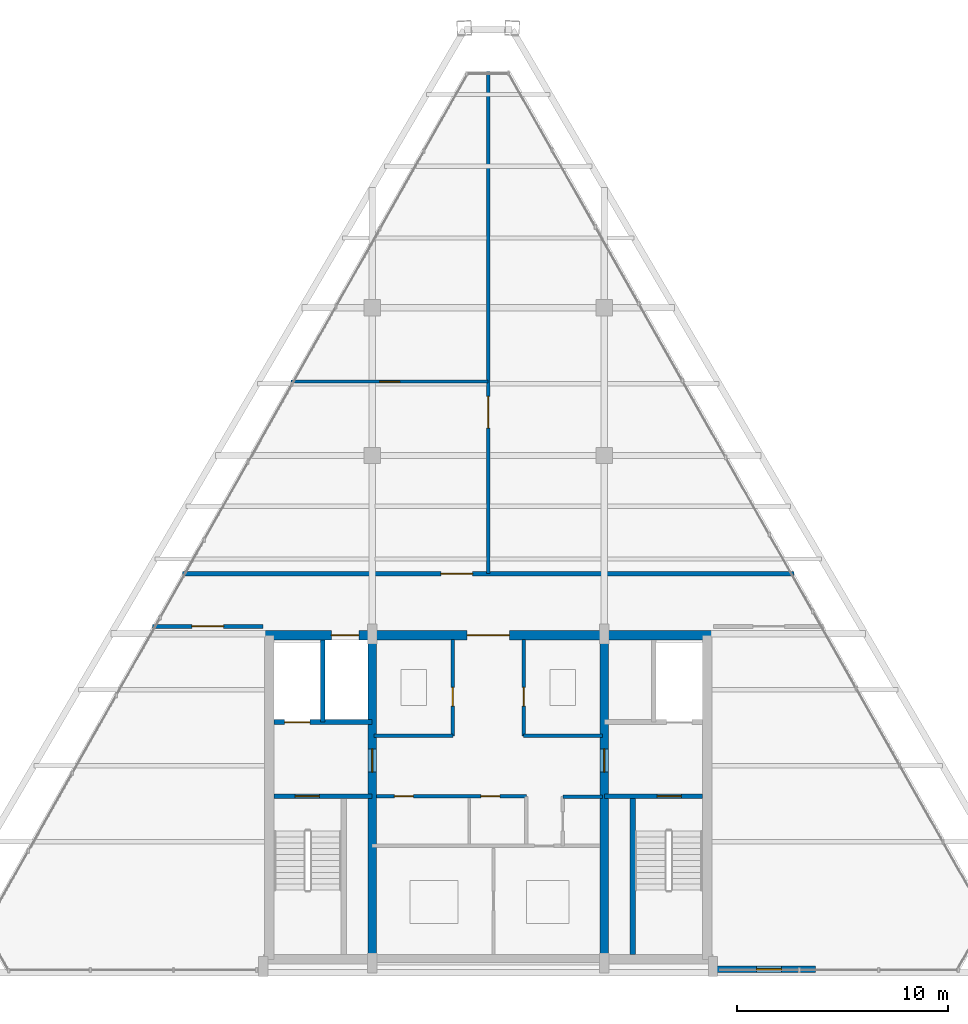
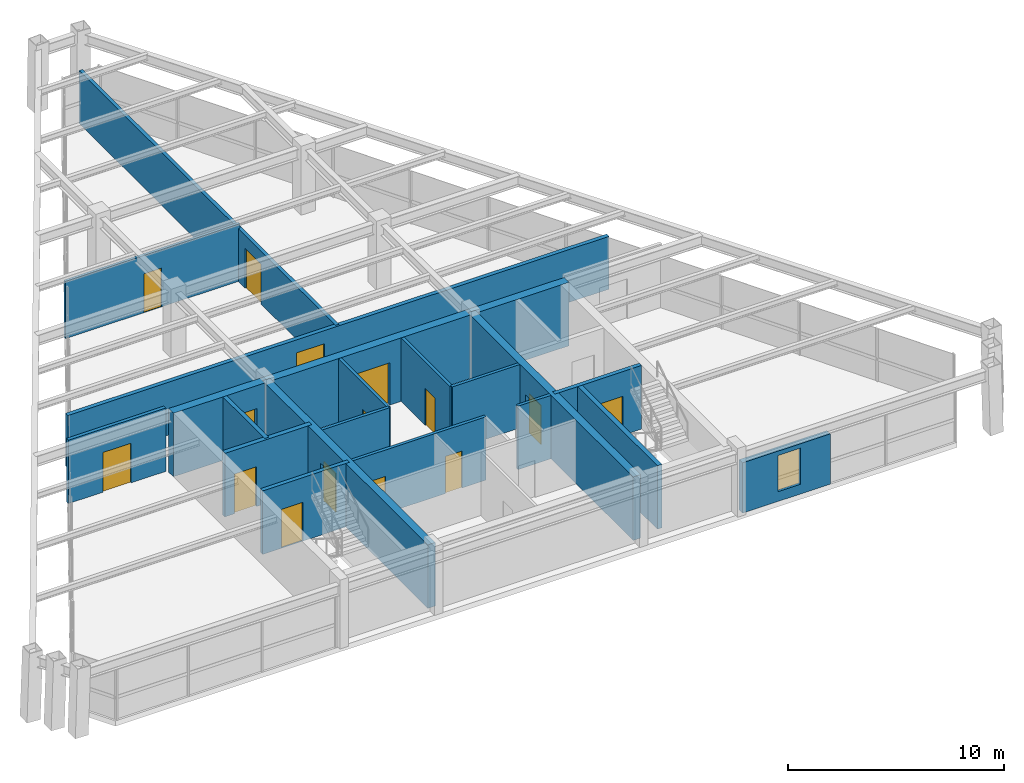
# One storey, part 10 of 12: 19 walls, 15 doors, 1 window, 16 openings.
"""IFC4 building model written with IfcOpenShell, lengths in metres."""

from ifc_helpers import new_model, si_unit, direction, frame, frame_2d, origin, place, context, subcontext, project, spatial, rectangle, extrude, source, transform, mapped, material, layer, layer_set, type_object, type_shapes, element, fill, save


model = new_model("IFC4")

# Units and contexts
model_context = context("Model", 3, precision=1e-05, world=origin(), true_north=direction((0.0, 1.0)))
body_context = subcontext(model_context, "Body", "Model", "MODEL_VIEW")
ifc_project = project(units=[si_unit("LENGTHUNIT", "METRE"), si_unit("AREAUNIT", "SQUARE_METRE"), si_unit("VOLUMEUNIT", "CUBIC_METRE"), si_unit("PLANEANGLEUNIT", "RADIAN"), si_unit("MASSUNIT", "GRAM", prefix="KILO")], contexts=[model_context])

# Site, building, storey
site_placement = place(None, origin())
site = spatial("IfcSite", under=ifc_project, at=site_placement, CompositionType="ELEMENT")
building_placement = place(site_placement, origin())
building = spatial("IfcBuilding", under=site, at=building_placement, Name="Varnakhor Terracotta Tower", CompositionType="ELEMENT")
storey_placement = place(building_placement, frame((0.0, 0.0, 317.5)))
storey = spatial("IfcBuildingStorey", under=building, at=storey_placement, Name="L83 Crown", CompositionType="ELEMENT", Elevation=317.5)

# Wall, openings, doors
ifc_material_1 = material(Name="Concrete C50/60", Category="concrete")
ifc_layer_1 = layer(ifc_material_1, 0.449951171875, Name="Concrete C50/60")
ifc_layer_set_1 = layer_set([ifc_layer_1], Name="Concrete C50/60")
wall_type_1 = type_object("IfcWallType", Name="WAL-CORE-450", PredefinedType="SHEAR", material=ifc_layer_set_1)
wall_1_placement = place(storey_placement, frame((-10.60009765625, 15.97509765625, 0.0), z_axis=(0.0, 0.0, 1.0), x_axis=(1.0, 0.0, 0.0)))
wall_1 = element("IfcWall", 1, at=wall_1_placement, inside=storey, type_object=wall_type_1, Name="L83 Crown North Core Shear Wall", PredefinedType="SHEAR", context=body_context, shape_type="SweptSolid", body=[
    extrude(rectangle(XDim=21.2001953125, YDim=0.449951171875, at=frame_2d((10.60009765625, 0.0))), origin(), (0.0, 0.0, 1.0), 3.60009765625),
])
opening_1_placement = place(wall_1_placement, frame((3.169921875, 0.0, 0.0)))
opening_1 = element("IfcOpeningElement", 2, at=opening_1_placement, cuts=wall_1, Name="Opening LD-03", PredefinedType="OPENING", context=body_context, shape_type="SweptSolid", body=[
    extrude(rectangle(XDim=1.300048828125, YDim=2.300048828125, at=frame_2d((0.64990234375, 1.14990234375))), frame((0.0, 0.23486328125, 0.0), z_axis=(0.0, -1.0, 0.0), x_axis=(1.0, 0.0, 0.0)), (0.0, 0.0, 1.0), 0.469970703125),
])
opening_2_placement = place(wall_1_placement, frame((9.60009765625, 0.0, 0.0)))
opening_2 = element("IfcOpeningElement", 3, at=opening_2_placement, cuts=wall_1, Name="Opening DR-32", PredefinedType="OPENING", context=body_context, shape_type="SweptSolid", body=[
    extrude(rectangle(XDim=2.0, YDim=2.39990234375, at=frame_2d((1.0, 1.199951171875))), frame((0.0, 0.23486328125, 0.0), z_axis=(0.0, -1.0, 0.0), x_axis=(1.0, 0.0, 0.0)), (0.0, 0.0, 1.0), 0.469970703125),
])
ifc_material_2 = material(Name="Heavy-Duty Goods Sliding Lift Landing Door", Category="steel")
door_type_1 = type_object("IfcDoorType", Name="LD-SRV-1300X2300", OperationType="NOTDEFINED", PredefinedType="DOOR", material=ifc_material_2)
shared_shape_1 = source(origin(), body_context, "Body", "SweptSolid", [
    extrude(rectangle(XDim=1.300048828125, YDim=2.300048828125, at=frame_2d((0.64990234375, 1.14990234375))), frame((0.0, 0.02490234375, 0.0), z_axis=(0.0, -1.0, 0.0), x_axis=(1.0, 0.0, 0.0)), (0.0, 0.0, 1.0), 0.050048828125),
])
type_shapes(door_type_1, [shared_shape_1])
door_1_placement = place(opening_1_placement, origin())
door_1 = element("IfcDoor", 4, at=door_1_placement, inside=storey, type_object=door_type_1, Name="L83 Crown Service Lift SVL-1 Landing Door", OperationType="SLIDING_TO_RIGHT", OverallHeight=2.300048828125, OverallWidth=1.300048828125, PredefinedType="DOOR", context=body_context, shape_type="MappedRepresentation", body=[
    mapped(shared_shape_1, transform((0.0, 0.0, 0.0), scale=1.0)),
])
fill(opening_1, door_1)
ifc_material_3 = material(Name="Acoustic Double Assembly Fire Door", Category="wood")
door_type_2 = type_object("IfcDoorType", Name="DR-HALL-2000X2400", OperationType="NOTDEFINED", PredefinedType="DOOR", material=ifc_material_3)
shared_shape_2 = source(origin(), body_context, "Body", "SweptSolid", [
    extrude(rectangle(XDim=2.0, YDim=2.39990234375, at=frame_2d((1.0, 1.199951171875))), frame((0.0, 0.02490234375, 0.0), z_axis=(0.0, -1.0, 0.0), x_axis=(1.0, 0.0, 0.0)), (0.0, 0.0, 1.0), 0.050048828125),
])
type_shapes(door_type_2, [shared_shape_2])
door_2_placement = place(opening_2_placement, origin())
door_2 = element("IfcDoor", 5, at=door_2_placement, inside=storey, type_object=door_type_2, Name="L83 Crown Core Main Lobby Double Door", OperationType="DOUBLE_DOOR_SINGLE_SWING", OverallHeight=2.39990234375, OverallWidth=2.0, PredefinedType="DOOR", context=body_context, shape_type="MappedRepresentation", body=[
    mapped(shared_shape_2, transform((0.0, 0.0, 0.0), scale=1.0)),
])
fill(opening_2, door_2)

# Wall, opening, door
ifc_layer_2 = layer(ifc_material_1, 0.39990234375, Name="Concrete C50/60")
ifc_layer_set_2 = layer_set([ifc_layer_2], Name="Concrete C50/60")
wall_type_2 = type_object("IfcWallType", Name="WAL-CORE-WEB-400", PredefinedType="SHEAR", material=ifc_layer_set_2)
wall_2_placement = place(storey_placement, frame((-5.5, 0.625, 0.0), z_axis=(0.0, 0.0, 1.0), x_axis=(0.0, 1.0, 0.0)))
wall_2 = element("IfcWall", 6, at=wall_2_placement, inside=storey, type_object=wall_type_2, Name="L83 Crown West Core Web Shear Wall", PredefinedType="SHEAR", context=body_context, shape_type="SweptSolid", body=[
    extrude(rectangle(XDim=15.35009765625, YDim=0.39990234375, at=frame_2d((7.675048828125, 0.0))), origin(), (0.0, 0.0, 1.0), 3.60009765625),
])
opening_3_placement = place(wall_2_placement, frame((8.875, 0.0, 0.0)))
opening_3 = element("IfcOpeningElement", 7, at=opening_3_placement, cuts=wall_2, Name="Opening DR-25", PredefinedType="OPENING", context=body_context, shape_type="SweptSolid", body=[
    extrude(rectangle(XDim=1.10009765625, YDim=2.199951171875, at=frame_2d((0.550048828125, 1.10009765625))), frame((0.0, 0.2099609375, 0.0), z_axis=(0.0, -1.0, 0.0), x_axis=(1.0, 0.0, 0.0)), (0.0, 0.0, 1.0), 0.419921875),
])
ifc_material_4 = material(Name="Firefighting Lobby Self-Closing Fire Door", Category="steel")
door_type_3 = type_object("IfcDoorType", Name="DR-FFL-1100X2200", OperationType="NOTDEFINED", PredefinedType="DOOR", material=ifc_material_4)
shared_shape_3 = source(origin(), body_context, "Body", "SweptSolid", [
    extrude(rectangle(XDim=1.10009765625, YDim=2.199951171875, at=frame_2d((0.550048828125, 1.10009765625))), frame((0.0, 0.02490234375, 0.0), z_axis=(0.0, -1.0, 0.0), x_axis=(1.0, 0.0, 0.0)), (0.0, 0.0, 1.0), 0.050048828125),
])
type_shapes(door_type_3, [shared_shape_3])
door_3_placement = place(opening_3_placement, origin())
door_3 = element("IfcDoor", 8, at=door_3_placement, inside=storey, type_object=door_type_3, Name="L83 Crown West Firefighting Lobby Door", OperationType="SINGLE_SWING_LEFT", OverallHeight=2.199951171875, OverallWidth=1.10009765625, PredefinedType="DOOR", context=body_context, shape_type="MappedRepresentation", body=[
    mapped(shared_shape_3, transform((0.0, 0.0, 0.0), scale=1.0)),
])
fill(opening_3, door_3)

wall_3_placement = place(storey_placement, frame((5.5, 0.625, 0.0), z_axis=(0.0, 0.0, 1.0), x_axis=(0.0, 1.0, 0.0)))
wall_3 = element("IfcWall", 9, at=wall_3_placement, inside=storey, type_object=wall_type_2, Name="L83 Crown East Core Web Shear Wall", PredefinedType="SHEAR", context=body_context, shape_type="SweptSolid", body=[
    extrude(rectangle(XDim=15.35009765625, YDim=0.39990234375, at=frame_2d((7.675048828125, 0.0))), origin(), (0.0, 0.0, 1.0), 3.60009765625),
])
opening_4_placement = place(wall_3_placement, frame((8.875, 0.0, 0.0)))
opening_4 = element("IfcOpeningElement", 10, at=opening_4_placement, cuts=wall_3, Name="Opening DR-25", PredefinedType="OPENING", context=body_context, shape_type="SweptSolid", body=[
    extrude(rectangle(XDim=1.10009765625, YDim=2.199951171875, at=frame_2d((0.550048828125, 1.10009765625))), frame((0.0, 0.2099609375, 0.0), z_axis=(0.0, -1.0, 0.0), x_axis=(1.0, 0.0, 0.0)), (0.0, 0.0, 1.0), 0.419921875),
])
door_4_placement = place(opening_4_placement, origin())
door_4 = element("IfcDoor", 11, at=door_4_placement, inside=storey, type_object=door_type_3, Name="L83 Crown East Firefighting Lobby Door", OperationType="SINGLE_SWING_LEFT", OverallHeight=2.199951171875, OverallWidth=1.10009765625, PredefinedType="DOOR", context=body_context, shape_type="MappedRepresentation", body=[
    mapped(shared_shape_3, transform((0.0, 0.0, 0.0), scale=1.0)),
])
fill(opening_4, door_4)

ifc_material_5 = material(Name="Fire-Rated Gypsum Stud Partition", Category="gypsum")
ifc_layer_3 = layer(ifc_material_5, 0.18505859375, Name="Fire-Rated Gypsum Stud Partition")
ifc_layer_set_3 = layer_set([ifc_layer_3], Name="Fire-Rated Gypsum Stud Partition")
wall_type_3 = type_object("IfcWallType", Name="WAL-CORR-185", PredefinedType="PARTITIONING", material=ifc_layer_set_3)
wall_4_placement = place(storey_placement, frame((-15.902587890625, 16.39990234375, 0.0), z_axis=(0.0, 0.0, 1.0), x_axis=(1.0, 0.0, 0.0)))
wall_4 = element("IfcWall", 12, at=wall_4_placement, inside=storey, type_object=wall_type_3, Name="L83 Crown West Plant Wall", PredefinedType="PARTITIONING", context=body_context, shape_type="SweptSolid", body=[
    extrude(rectangle(XDim=5.22265625, YDim=0.18505859375, at=frame_2d((2.611328125, 0.0))), origin(), (0.0, 0.0, 1.0), 3.592041015625),
])
opening_5_placement = place(wall_4_placement, frame((1.861328125, 0.0, 0.0)))
opening_5 = element("IfcOpeningElement", 13, at=opening_5_placement, cuts=wall_4, Name="Opening DR-30", PredefinedType="OPENING", context=body_context, shape_type="SweptSolid", body=[
    extrude(rectangle(XDim=1.5, YDim=2.25, at=frame_2d((0.75, 1.125))), frame((0.0, 0.1025390625, 0.0), z_axis=(0.0, -1.0, 0.0), x_axis=(1.0, 0.0, 0.0)), (0.0, 0.0, 1.0), 0.205078125),
])
ifc_material_6 = material(Name="Double Acoustic Conference Room Door", Category="wood")
door_type_4 = type_object("IfcDoorType", Name="DR-MEET-1500X2250", OperationType="NOTDEFINED", PredefinedType="DOOR", material=ifc_material_6)
shared_shape_4 = source(origin(), body_context, "Body", "SweptSolid", [
    extrude(rectangle(XDim=1.5, YDim=2.25, at=frame_2d((0.75, 1.125))), frame((0.0, 0.02490234375, 0.0), z_axis=(0.0, -1.0, 0.0), x_axis=(1.0, 0.0, 0.0)), (0.0, 0.0, 1.0), 0.050048828125),
])
type_shapes(door_type_4, [shared_shape_4])
door_5_placement = place(opening_5_placement, origin())
door_5 = element("IfcDoor", 14, at=door_5_placement, inside=storey, type_object=door_type_4, Name="L83 Crown West Mechanical Room Door", OperationType="DOUBLE_DOOR_SINGLE_SWING", OverallHeight=2.25, OverallWidth=1.5, PredefinedType="DOOR", context=body_context, shape_type="MappedRepresentation", body=[
    mapped(shared_shape_4, transform((0.0, 0.0, 0.0), scale=1.0)),
])
fill(opening_5, door_5)

wall_5_placement = place(storey_placement, frame((0.0, 18.89990234375, 0.0), z_axis=(0.0, 0.0, 1.0), x_axis=(0.0, 1.0, 0.0)))
wall_5 = element("IfcWall", 15, at=wall_5_placement, inside=storey, type_object=wall_type_3, Name="L83 Crown Crown Plant Division Wall", PredefinedType="PARTITIONING", context=body_context, shape_type="SweptSolid", body=[
    extrude(rectangle(XDim=23.794189453125, YDim=0.18505859375, at=frame_2d((11.89697265625, 0.0))), origin(), (0.0, 0.0, 1.0), 2.991943359375),
])
opening_6_placement = place(wall_5_placement, frame((6.8974609375, 0.0, 0.0)))
opening_6 = element("IfcOpeningElement", 16, at=opening_6_placement, cuts=wall_5, Name="Opening DR-30", PredefinedType="OPENING", context=body_context, shape_type="SweptSolid", body=[
    extrude(rectangle(XDim=1.5, YDim=2.25, at=frame_2d((0.75, 1.125))), frame((0.0, 0.1025390625, 0.0), z_axis=(0.0, -1.0, 0.0), x_axis=(1.0, 0.0, 0.0)), (0.0, 0.0, 1.0), 0.205078125),
])
door_6_placement = place(opening_6_placement, origin())
door_6 = element("IfcDoor", 17, at=door_6_placement, inside=storey, type_object=door_type_4, Name="L83 Crown Crown Plant Door", OperationType="DOUBLE_DOOR_SINGLE_SWING", OverallHeight=2.25, OverallWidth=1.5, PredefinedType="DOOR", context=body_context, shape_type="MappedRepresentation", body=[
    mapped(shared_shape_4, transform((0.0, 0.0, 0.0), scale=1.0)),
])
fill(opening_6, door_6)

# Wall, opening, window
ifc_material_7 = material(Name="Extruded Architectural Terracotta Assembly", Category="masonry")
ifc_layer_4 = layer(ifc_material_7, 0.320068359375, Name="Extruded Architectural Terracotta Assembly")
ifc_layer_set_4 = layer_set([ifc_layer_4], Name="Extruded Architectural Terracotta Assembly")
wall_type_4 = type_object("IfcWallType", Name="WAL-EXT-TERRACOTTA-320", PredefinedType="SOLIDWALL", material=ifc_layer_set_4)
wall_6_placement = place(storey_placement, frame((15.5, 0.159912109375, 0.0), z_axis=(0.0, 0.0, 1.0), x_axis=(-1.0, 0.0, 0.0)))
wall_6 = element("IfcWall", 18, at=wall_6_placement, inside=storey, type_object=wall_type_4, Name="L83 Crown South Crown Terracotta Spandrel Wall", PredefinedType="SOLIDWALL", context=body_context, shape_type="SweptSolid", body=[
    extrude(rectangle(XDim=4.699951171875, YDim=0.320068359375, at=frame_2d((2.35009765625, 0.0))), origin(), (0.0, 0.0, 1.0), 2.85009765625),
])
opening_7_placement = place(wall_6_placement, frame((1.60009765625, 0.0, 0.550048828125)))
opening_7 = element("IfcOpeningElement", 19, at=opening_7_placement, cuts=wall_6, Name="Opening WN-55", PredefinedType="OPENING", context=body_context, shape_type="SweptSolid", body=[
    extrude(rectangle(XDim=1.199951171875, YDim=2.050048828125, at=frame_2d((0.60009765625, 1.02490234375))), frame((0.0, 0.169921875, 0.0), z_axis=(0.0, -1.0, 0.0), x_axis=(1.0, 0.0, 0.0)), (0.0, 0.0, 1.0), 0.340087890625),
])
ifc_material_8 = material(Name="Solar-Control Low-E Insulated Glass Unit", Category="glass")
window_type = type_object("IfcWindowType", Name="WIN-CRN-1200X2200", PartitioningType="SINGLE_PANEL", PredefinedType="WINDOW", material=ifc_material_8)
shared_shape_5 = source(origin(), body_context, "Body", "SweptSolid", [
    extrude(rectangle(XDim=1.199951171875, YDim=2.050048828125, at=frame_2d((0.60009765625, 1.02490234375))), frame((0.0, 0.030029296875, 0.0), z_axis=(0.0, -1.0, 0.0), x_axis=(1.0, 0.0, 0.0)), (0.0, 0.0, 1.0), 0.06005859375),
])
type_shapes(window_type, [shared_shape_5])
window_placement = place(opening_7_placement, origin())
window = element("IfcWindow", 20, at=window_placement, inside=storey, type_object=window_type, Name="L83 Crown Crown Slot Window", OverallHeight=2.050048828125, OverallWidth=1.199951171875, PartitioningType="SINGLE_PANEL", PredefinedType="WINDOW", context=body_context, shape_type="MappedRepresentation", body=[
    mapped(shared_shape_5, transform((0.0, 0.0, 0.0), scale=1.0)),
])
fill(opening_7, window)

# Wall, opening, door
ifc_material_9 = material(Name="Concrete C40/50", Category="concrete")
ifc_layer_5 = layer(ifc_material_9, 0.219970703125, Name="Concrete C40/50")
ifc_layer_set_5 = layer_set([ifc_layer_5], Name="Concrete C40/50")
wall_type_5 = type_object("IfcWallType", Name="WAL-FFLOBBY-220", PredefinedType="SOLIDWALL", material=ifc_layer_set_5)
wall_7_placement = place(storey_placement, frame((-5.5, 8.35009765625, 0.0), z_axis=(0.0, 0.0, 1.0), x_axis=(-1.0, 0.0, 0.0)))
wall_7 = element("IfcWall", 21, at=wall_7_placement, inside=storey, type_object=wall_type_5, Name="L83 Crown West Firefighting Lobby Stair Wall", PredefinedType="SOLIDWALL", context=body_context, shape_type="SweptSolid", body=[
    extrude(rectangle(XDim=4.64990234375, YDim=0.219970703125, at=frame_2d((2.324951171875, 0.0))), origin(), (0.0, 0.0, 1.0), 3.60009765625),
])
opening_8_placement = place(wall_7_placement, frame((2.5, 0.0, 0.0)))
opening_8 = element("IfcOpeningElement", 22, at=opening_8_placement, cuts=wall_7, Name="Opening DR-34", PredefinedType="OPENING", context=body_context, shape_type="SweptSolid", body=[
    extrude(rectangle(XDim=1.14990234375, YDim=2.199951171875, at=frame_2d((0.574951171875, 1.10009765625))), frame((0.0, 0.1201171875, 0.0), z_axis=(0.0, -1.0, 0.0), x_axis=(1.0, 0.0, 0.0)), (0.0, 0.0, 1.0), 0.239990234375),
])
ifc_material_10 = material(Name="Self-Closing Smoke-Sealed Steel Fire Door", Category="steel")
door_type_5 = type_object("IfcDoorType", Name="DR-STAIR-1150X2200", OperationType="NOTDEFINED", PredefinedType="DOOR", material=ifc_material_10)
shared_shape_6 = source(origin(), body_context, "Body", "SweptSolid", [
    extrude(rectangle(XDim=1.14990234375, YDim=2.199951171875, at=frame_2d((0.574951171875, 1.10009765625))), frame((0.0, 0.02490234375, 0.0), z_axis=(0.0, -1.0, 0.0), x_axis=(1.0, 0.0, 0.0)), (0.0, 0.0, 1.0), 0.050048828125),
])
type_shapes(door_type_5, [shared_shape_6])
door_7_placement = place(opening_8_placement, origin())
door_7 = element("IfcDoor", 23, at=door_7_placement, inside=storey, type_object=door_type_5, Name="L83 Crown Exit Stair ST-1 Fire Door", OperationType="SINGLE_SWING_RIGHT", OverallHeight=2.199951171875, OverallWidth=1.14990234375, PredefinedType="DOOR", context=body_context, shape_type="MappedRepresentation", body=[
    mapped(shared_shape_6, transform((0.0, 0.0, 0.0), scale=1.0)),
])
fill(opening_8, door_7)

wall_8_placement = place(storey_placement, frame((10.14990234375, 8.35009765625, 0.0), z_axis=(0.0, 0.0, 1.0), x_axis=(-1.0, 0.0, 0.0)))
wall_8 = element("IfcWall", 24, at=wall_8_placement, inside=storey, type_object=wall_type_5, Name="L83 Crown East Firefighting Lobby Stair Wall", PredefinedType="SOLIDWALL", context=body_context, shape_type="SweptSolid", body=[
    extrude(rectangle(XDim=4.64990234375, YDim=0.219970703125, at=frame_2d((2.324951171875, 0.0))), origin(), (0.0, 0.0, 1.0), 3.60009765625),
])
opening_9_placement = place(wall_8_placement, frame((1.0, 0.0, 0.0)))
opening_9 = element("IfcOpeningElement", 25, at=opening_9_placement, cuts=wall_8, Name="Opening DR-34", PredefinedType="OPENING", context=body_context, shape_type="SweptSolid", body=[
    extrude(rectangle(XDim=1.14990234375, YDim=2.199951171875, at=frame_2d((0.574951171875, 1.10009765625))), frame((0.0, 0.1201171875, 0.0), z_axis=(0.0, -1.0, 0.0), x_axis=(1.0, 0.0, 0.0)), (0.0, 0.0, 1.0), 0.239990234375),
])
door_8_placement = place(opening_9_placement, origin())
door_8 = element("IfcDoor", 26, at=door_8_placement, inside=storey, type_object=door_type_5, Name="L83 Crown Exit Stair ST-2 Fire Door", OperationType="SINGLE_SWING_RIGHT", OverallHeight=2.199951171875, OverallWidth=1.14990234375, PredefinedType="DOOR", context=body_context, shape_type="MappedRepresentation", body=[
    mapped(shared_shape_6, transform((0.0, 0.0, 0.0), scale=1.0)),
])
fill(opening_9, door_8)

wall_9_placement = place(storey_placement, frame((-14.489501953125, 18.89990234375, 0.0), z_axis=(0.0, 0.0, 1.0), x_axis=(1.0, 0.0, 0.0)))
wall_9 = element("IfcWall", 27, at=wall_9_placement, inside=storey, type_object=wall_type_5, Name="L83 Crown Plant Corridor Wall", PredefinedType="SOLIDWALL", context=body_context, shape_type="SweptSolid", body=[
    extrude(rectangle(XDim=28.97900390625, YDim=0.219970703125, at=frame_2d((14.489501953125, 0.0))), origin(), (0.0, 0.0, 1.0), 2.991943359375),
])
opening_10_placement = place(wall_9_placement, frame((12.246826171875, 0.0, 0.0)))
opening_10 = element("IfcOpeningElement", 28, at=opening_10_placement, cuts=wall_9, Name="Opening DR-30", PredefinedType="OPENING", context=body_context, shape_type="SweptSolid", body=[
    extrude(rectangle(XDim=1.5, YDim=2.25, at=frame_2d((0.75, 1.125))), frame((0.0, 0.1201171875, 0.0), z_axis=(0.0, -1.0, 0.0), x_axis=(1.0, 0.0, 0.0)), (0.0, 0.0, 1.0), 0.239990234375),
])
door_9_placement = place(opening_10_placement, origin())
door_9 = element("IfcDoor", 29, at=door_9_placement, inside=storey, type_object=door_type_4, Name="L83 Crown North Plant Access Door", OperationType="DOUBLE_DOOR_SINGLE_SWING", OverallHeight=2.25, OverallWidth=1.5, PredefinedType="DOOR", context=body_context, shape_type="MappedRepresentation", body=[
    mapped(shared_shape_4, transform((0.0, 0.0, 0.0), scale=1.0)),
])
fill(opening_10, door_9)

ifc_material_11 = material(Name="Acoustic Metal-Stud Partition", Category="gypsum")
ifc_layer_6 = layer(ifc_material_11, 0.139892578125, Name="Acoustic Metal-Stud Partition")
ifc_layer_set_6 = layer_set([ifc_layer_6], Name="Acoustic Metal-Stud Partition")
wall_type_6 = type_object("IfcWallType", Name="WAL-PART-140", PredefinedType="PARTITIONING", material=ifc_layer_set_6)
wall_10_placement = place(storey_placement, frame((-9.345458984375, 28.0, 0.0), z_axis=(0.0, 0.0, 1.0), x_axis=(1.0, 0.0, 0.0)))
wall_10 = element("IfcWall", 30, at=wall_10_placement, inside=storey, type_object=wall_type_6, Name="L83 Crown Crown Sub-Plant Wall", PredefinedType="PARTITIONING", context=body_context, shape_type="SweptSolid", body=[
    extrude(rectangle(XDim=9.345458984375, YDim=0.139892578125, at=frame_2d((4.6728515625, 0.0))), origin(), (0.0, 0.0, 1.0), 3.2451171875),
])
opening_11_placement = place(wall_10_placement, frame((4.19775390625, 0.0, 0.0)))
opening_11 = element("IfcOpeningElement", 31, at=opening_11_placement, cuts=wall_10, Name="Opening DR-94", PredefinedType="OPENING", context=body_context, shape_type="SweptSolid", body=[
    extrude(rectangle(XDim=0.949951171875, YDim=2.199951171875, at=frame_2d((0.47509765625, 1.10009765625))), frame((0.0, 0.080078125, 0.0), z_axis=(0.0, -1.0, 0.0), x_axis=(1.0, 0.0, 0.0)), (0.0, 0.0, 1.0), 0.159912109375),
])
ifc_material_12 = material(Name="Acoustic Glazed-Vision Timber Office Door", Category="wood")
door_type_6 = type_object("IfcDoorType", Name="DR-OFF-950X2200", OperationType="NOTDEFINED", PredefinedType="DOOR", material=ifc_material_12)
shared_shape_7 = source(origin(), body_context, "Body", "SweptSolid", [
    extrude(rectangle(XDim=0.949951171875, YDim=2.199951171875, at=frame_2d((0.47509765625, 1.10009765625))), frame((0.0, 0.02490234375, 0.0), z_axis=(0.0, -1.0, 0.0), x_axis=(1.0, 0.0, 0.0)), (0.0, 0.0, 1.0), 0.050048828125),
])
type_shapes(door_type_6, [shared_shape_7])
door_10_placement = place(opening_11_placement, origin())
door_10 = element("IfcDoor", 32, at=door_10_placement, inside=storey, type_object=door_type_6, Name="L83 Crown Crown Aux Door", OperationType="SINGLE_SWING_LEFT", OverallHeight=2.199951171875, OverallWidth=0.949951171875, PredefinedType="DOOR", context=body_context, shape_type="MappedRepresentation", body=[
    mapped(shared_shape_7, transform((0.0, 0.0, 0.0), scale=1.0)),
])
fill(opening_11, door_10)

# Wall
ifc_layer_7 = layer(ifc_material_9, 0.219970703125, Name="Concrete C40/50")
ifc_layer_set_7 = layer_set([ifc_layer_7], Name="Concrete C40/50")
wall_type_7 = type_object("IfcWallType", Name="WAL-SHAFT-220", PredefinedType="SOLIDWALL", material=ifc_layer_set_7)
wall_11_placement = place(storey_placement, frame((-7.840087890625, 11.8701171875, 0.0), z_axis=(0.0, 0.0, 1.0), x_axis=(0.0, 1.0, 0.0)))
element("IfcWall", 33, at=wall_11_placement, inside=storey, type_object=wall_type_7, Name="L83 Crown Lift FFL-1 and SVL-1 Divider Wall", PredefinedType="SOLIDWALL", context=body_context, shape_type="SweptSolid", body=[
    extrude(rectangle(XDim=3.8798828125, YDim=0.219970703125, at=frame_2d((1.93994140625, 0.0))), origin(), (0.0, 0.0, 1.0), 3.60009765625),
])

# Wall, opening, door
ifc_layer_8 = layer(ifc_material_9, 0.25, Name="Concrete C40/50")
ifc_layer_set_8 = layer_set([ifc_layer_8], Name="Concrete C40/50")
wall_type_8 = type_object("IfcWallType", Name="WAL-SHAFT-250", PredefinedType="SOLIDWALL", material=ifc_layer_set_8)
wall_12_placement = place(storey_placement, frame((-5.5, 11.8701171875, 0.0), z_axis=(0.0, 0.0, 1.0), x_axis=(-1.0, 0.0, 0.0)))
wall_12 = element("IfcWall", 34, at=wall_12_placement, inside=storey, type_object=wall_type_8, Name="L83 Crown Lift FFL-1 Shaft Front Wall", PredefinedType="SOLIDWALL", context=body_context, shape_type="SweptSolid", body=[
    extrude(rectangle(XDim=4.64990234375, YDim=0.25, at=frame_2d((2.324951171875, 0.0))), origin(), (0.0, 0.0, 1.0), 3.60009765625),
])
opening_12_placement = place(wall_12_placement, frame((2.949951171875, 0.0, 0.0)))
opening_12 = element("IfcOpeningElement", 35, at=opening_12_placement, cuts=wall_12, Name="Opening LD-02", PredefinedType="OPENING", context=body_context, shape_type="SweptSolid", body=[
    extrude(rectangle(XDim=1.199951171875, YDim=2.25, at=frame_2d((0.60009765625, 1.125))), frame((0.0, 0.135009765625, 0.0), z_axis=(0.0, -1.0, 0.0), x_axis=(1.0, 0.0, 0.0)), (0.0, 0.0, 1.0), 0.27001953125),
])
ifc_material_13 = material(Name="Firefighting Stretcher Sliding Lift Landing Door", Category="steel")
door_type_7 = type_object("IfcDoorType", Name="LD-FFL-1200X2250", OperationType="NOTDEFINED", PredefinedType="DOOR", material=ifc_material_13)
shared_shape_8 = source(origin(), body_context, "Body", "SweptSolid", [
    extrude(rectangle(XDim=1.199951171875, YDim=2.25, at=frame_2d((0.60009765625, 1.125))), frame((0.0, 0.02490234375, 0.0), z_axis=(0.0, -1.0, 0.0), x_axis=(1.0, 0.0, 0.0)), (0.0, 0.0, 1.0), 0.050048828125),
])
type_shapes(door_type_7, [shared_shape_8])
door_11_placement = place(opening_12_placement, origin())
door_11 = element("IfcDoor", 36, at=door_11_placement, inside=storey, type_object=door_type_7, Name="L83 Crown Firefighting Lift FFL-1 Landing Door", OperationType="SLIDING_TO_LEFT", OverallHeight=2.25, OverallWidth=1.199951171875, PredefinedType="DOOR", context=body_context, shape_type="MappedRepresentation", body=[
    mapped(shared_shape_8, transform((0.0, 0.0, 0.0), scale=1.0)),
])
fill(opening_12, door_11)

# Walls
wall_13_placement = place(storey_placement, frame((6.85009765625, 0.85009765625, 0.0), z_axis=(0.0, 0.0, 1.0), x_axis=(0.0, 1.0, 0.0)))
element("IfcWall", 37, at=wall_13_placement, inside=storey, type_object=wall_type_8, Name="L83 Crown Stair ST-2 Bearing Shaft Wall", PredefinedType="SOLIDWALL", context=body_context, shape_type="SweptSolid", body=[
    extrude(rectangle(XDim=7.5, YDim=0.25, at=frame_2d((3.75, 0.0))), origin(), (0.0, 0.0, 1.0), 3.60009765625),
])
ifc_material_14 = material(Name="Acoustic Fire-Rated Partition", Category="gypsum")
ifc_layer_9 = layer(ifc_material_14, 0.1650390625, Name="Acoustic Fire-Rated Partition")
ifc_layer_set_9 = layer_set([ifc_layer_9], Name="Acoustic Fire-Rated Partition")
wall_type_9 = type_object("IfcWallType", Name="WAL-TENANCY-165", PredefinedType="PARTITIONING", material=ifc_layer_set_9)
wall_14_placement = place(storey_placement, frame((3.5400390625, 8.340087890625, 0.0), z_axis=(0.0, 0.0, 1.0), x_axis=(1.0, 0.0, 0.0)))
element("IfcWall", 38, at=wall_14_placement, inside=storey, type_object=wall_type_9, Name="L83 Crown Accessible WC North Wall", PredefinedType="PARTITIONING", context=body_context, shape_type="SweptSolid", body=[
    extrude(rectangle(XDim=1.8798828125, YDim=0.1650390625, at=frame_2d((0.93994140625, 0.0))), origin(), (0.0, 0.0, 1.0), 3.592041015625),
])

# Wall, openings, doors
wall_15_placement = place(storey_placement, frame((-5.300048828125, 8.35009765625, 0.0), z_axis=(0.0, 0.0, 1.0), x_axis=(1.0, 0.0, 0.0)))
wall_15 = element("IfcWall", 39, at=wall_15_placement, inside=storey, type_object=wall_type_9, Name="L83 Crown Reclaimed Mid-Core North Wall", PredefinedType="PARTITIONING", context=body_context, shape_type="SweptSolid", body=[
    extrude(rectangle(XDim=7.1201171875, YDim=0.1650390625, at=frame_2d((3.56005859375, 0.0))), origin(), (0.0, 0.0, 1.0), 3.592041015625),
])
opening_13_placement = place(wall_15_placement, frame((0.85009765625, 0.0, 0.0)))
opening_13 = element("IfcOpeningElement", 40, at=opening_13_placement, cuts=wall_15, Name="Opening DR-67", PredefinedType="OPENING", context=body_context, shape_type="SweptSolid", body=[
    extrude(rectangle(XDim=0.89990234375, YDim=2.10009765625, at=frame_2d((0.449951171875, 1.050048828125))), frame((0.0, 0.092529296875, 0.0), z_axis=(0.0, -1.0, 0.0), x_axis=(1.0, 0.0, 0.0)), (0.0, 0.0, 1.0), 0.18505859375),
])
opening_14_placement = place(wall_15_placement, frame((4.949951171875, 0.0, 0.0)))
opening_14 = element("IfcOpeningElement", 41, at=opening_14_placement, cuts=wall_15, Name="Opening DR-67", PredefinedType="OPENING", context=body_context, shape_type="SweptSolid", body=[
    extrude(rectangle(XDim=0.89990234375, YDim=2.10009765625, at=frame_2d((0.449951171875, 1.050048828125))), frame((0.0, 0.092529296875, 0.0), z_axis=(0.0, -1.0, 0.0), x_axis=(1.0, 0.0, 0.0)), (0.0, 0.0, 1.0), 0.18505859375),
])
ifc_material_15 = material(Name="Steel Service Riser Fire Door", Category="steel")
door_type_8 = type_object("IfcDoorType", Name="DR-RISER-900X2100", OperationType="NOTDEFINED", PredefinedType="DOOR", material=ifc_material_15)
shared_shape_9 = source(origin(), body_context, "Body", "SweptSolid", [
    extrude(rectangle(XDim=0.89990234375, YDim=2.10009765625, at=frame_2d((0.449951171875, 1.050048828125))), frame((0.0, 0.02490234375, 0.0), z_axis=(0.0, -1.0, 0.0), x_axis=(1.0, 0.0, 0.0)), (0.0, 0.0, 1.0), 0.050048828125),
])
type_shapes(door_type_8, [shared_shape_9])
door_12_placement = place(opening_13_placement, origin())
door_12 = element("IfcDoor", 42, at=door_12_placement, inside=storey, type_object=door_type_8, Name="L83 Crown Core West Restroom Door", OperationType="SINGLE_SWING_LEFT", OverallHeight=2.10009765625, OverallWidth=0.89990234375, PredefinedType="DOOR", context=body_context, shape_type="MappedRepresentation", body=[
    mapped(shared_shape_9, transform((0.0, 0.0, 0.0), scale=1.0)),
])
fill(opening_13, door_12)
door_13_placement = place(opening_14_placement, origin())
door_13 = element("IfcDoor", 43, at=door_13_placement, inside=storey, type_object=door_type_8, Name="L83 Crown Core East Restroom Door", OperationType="SINGLE_SWING_RIGHT", OverallHeight=2.10009765625, OverallWidth=0.89990234375, PredefinedType="DOOR", context=body_context, shape_type="MappedRepresentation", body=[
    mapped(shared_shape_9, transform((0.0, 0.0, 0.0), scale=1.0)),
])
fill(opening_14, door_13)

# Wall, opening, door
wall_16_placement = place(storey_placement, frame((-1.679931640625, 11.219970703125, 0.0), z_axis=(0.0, 0.0, 1.0), x_axis=(0.0, 1.0, 0.0)))
wall_16 = element("IfcWall", 44, at=wall_16_placement, inside=storey, type_object=wall_type_9, Name="L83 Crown Core North West Rated Wall", PredefinedType="PARTITIONING", context=body_context, shape_type="SweptSolid", body=[
    extrude(rectangle(XDim=4.56005859375, YDim=0.1650390625, at=frame_2d((2.280029296875, 0.0))), origin(), (0.0, 0.0, 1.0), 3.592041015625),
])
opening_15_placement = place(wall_16_placement, frame((1.39990234375, 0.0, 0.0)))
opening_15 = element("IfcOpeningElement", 45, at=opening_15_placement, cuts=wall_16, Name="Opening DR-67", PredefinedType="OPENING", context=body_context, shape_type="SweptSolid", body=[
    extrude(rectangle(XDim=0.89990234375, YDim=2.10009765625, at=frame_2d((0.449951171875, 1.050048828125))), frame((0.0, 0.092529296875, 0.0), z_axis=(0.0, -1.0, 0.0), x_axis=(1.0, 0.0, 0.0)), (0.0, 0.0, 1.0), 0.18505859375),
])
door_14_placement = place(opening_15_placement, origin())
door_14 = element("IfcDoor", 46, at=door_14_placement, inside=storey, type_object=door_type_8, Name="L83 Crown Lift Motor Room Door", OperationType="SINGLE_SWING_LEFT", OverallHeight=2.10009765625, OverallWidth=0.89990234375, PredefinedType="DOOR", context=body_context, shape_type="MappedRepresentation", body=[
    mapped(shared_shape_9, transform((0.0, 0.0, 0.0), scale=1.0)),
])
fill(opening_15, door_14)

# Wall
wall_17_placement = place(storey_placement, frame((-5.419921875, 11.219970703125, 0.0), z_axis=(0.0, 0.0, 1.0), x_axis=(1.0, 0.0, 0.0)))
element("IfcWall", 47, at=wall_17_placement, inside=storey, type_object=wall_type_9, Name="L83 Crown Core North West South Wall", PredefinedType="PARTITIONING", context=body_context, shape_type="SweptSolid", body=[
    extrude(rectangle(XDim=3.739990234375, YDim=0.1650390625, at=frame_2d((1.8701171875, 0.0))), origin(), (0.0, 0.0, 1.0), 3.592041015625),
])

# Wall, opening, door
wall_18_placement = place(storey_placement, frame((1.679931640625, 11.219970703125, 0.0), z_axis=(0.0, 0.0, 1.0), x_axis=(0.0, 1.0, 0.0)))
wall_18 = element("IfcWall", 48, at=wall_18_placement, inside=storey, type_object=wall_type_9, Name="L83 Crown Core North East Rated Wall", PredefinedType="PARTITIONING", context=body_context, shape_type="SweptSolid", body=[
    extrude(rectangle(XDim=4.56005859375, YDim=0.1650390625, at=frame_2d((2.280029296875, 0.0))), origin(), (0.0, 0.0, 1.0), 3.592041015625),
])
opening_16_placement = place(wall_18_placement, frame((1.39990234375, 0.0, 0.0)))
opening_16 = element("IfcOpeningElement", 49, at=opening_16_placement, cuts=wall_18, Name="Opening DR-67", PredefinedType="OPENING", context=body_context, shape_type="SweptSolid", body=[
    extrude(rectangle(XDim=0.89990234375, YDim=2.10009765625, at=frame_2d((0.449951171875, 1.050048828125))), frame((0.0, 0.092529296875, 0.0), z_axis=(0.0, -1.0, 0.0), x_axis=(1.0, 0.0, 0.0)), (0.0, 0.0, 1.0), 0.18505859375),
])
door_15_placement = place(opening_16_placement, origin())
door_15 = element("IfcDoor", 50, at=door_15_placement, inside=storey, type_object=door_type_8, Name="L83 Crown Control Room Door", OperationType="SINGLE_SWING_RIGHT", OverallHeight=2.10009765625, OverallWidth=0.89990234375, PredefinedType="DOOR", context=body_context, shape_type="MappedRepresentation", body=[
    mapped(shared_shape_9, transform((0.0, 0.0, 0.0), scale=1.0)),
])
fill(opening_16, door_15)

# Wall
wall_19_placement = place(storey_placement, frame((1.679931640625, 11.219970703125, 0.0), z_axis=(0.0, 0.0, 1.0), x_axis=(1.0, 0.0, 0.0)))
element("IfcWall", 51, at=wall_19_placement, inside=storey, type_object=wall_type_9, Name="L83 Crown Core North East South Wall", PredefinedType="PARTITIONING", context=body_context, shape_type="SweptSolid", body=[
    extrude(rectangle(XDim=3.739990234375, YDim=0.1650390625, at=frame_2d((1.8701171875, 0.0))), origin(), (0.0, 0.0, 1.0), 3.592041015625),
])

save(model, "model.ifc")
